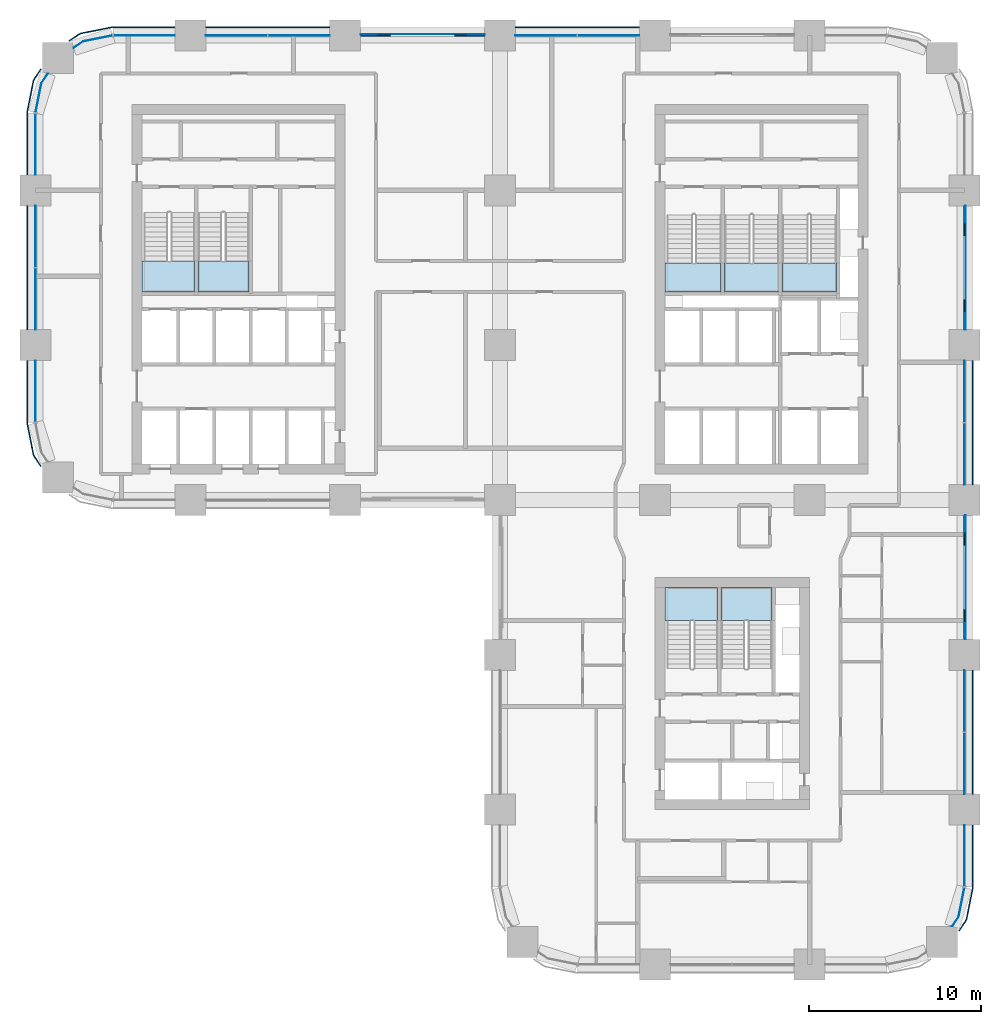
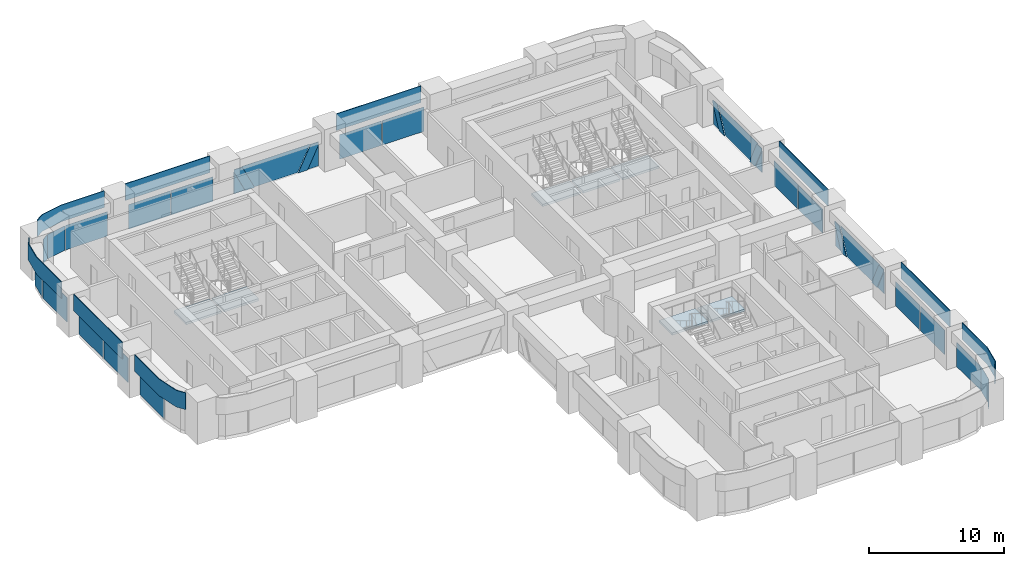
# One storey, part 11 of 20: 41 plates, 7 slabs, 19 elements without a shape of their own.
"""IFC4 building model written with IfcOpenShell, lengths in metres."""

import ifcopenshell
import ifcopenshell.guid

model = None  # the IFC model being written
_history = None  # IfcOwnerHistory: only IFC2X3 demands one
_inside = {}  # id of a spatial element -> (the spatial element, [elements in it])
_under = {}  # id of a project, library or spatial element -> (it, [spatial elements below it])
_declared = {}  # id of a project -> (the project, [libraries it declares])
_typed = {}  # id of a type object -> (the type object, [elements of that type])
_made_of = {}  # id of a material, layer set ... -> (it, [elements and type objects made of it])


def new_model(schema):
    """Start an empty IFC model of exactly this schema.

    Asked for "IFC4X3", IfcOpenShell would pick the latest addendum, in which some entities
    have other attributes; the version numbers below select the first issue.
    IFC2X3 requires an IfcOwnerHistory on every rooted entity: one is made here for all.
    """
    global model, _history
    if schema == "IFC4X3":
        model = ifcopenshell.file(schema_version=(4, 3, 0, 0))
    else:
        model = ifcopenshell.file(schema=schema)
    _inside.clear()
    _under.clear()
    _declared.clear()
    _typed.clear()
    _made_of.clear()
    _history = None
    if model.schema == "IFC2X3":
        org = make("IfcOrganization", Name="unknown")
        user = make(
            "IfcPersonAndOrganization",
            ThePerson=make("IfcPerson", FamilyName="unknown"),
            TheOrganization=org,
        )
        app = make(
            "IfcApplication",
            ApplicationDeveloper=org,
            Version="unknown",
            ApplicationFullName="unknown",
            ApplicationIdentifier="unknown",
        )
        _history = make(
            "IfcOwnerHistory",
            OwningUser=user,
            OwningApplication=app,
            ChangeAction="ADDED",
            CreationDate=0,
        )
    return model


def make(cls, **values):
    """One entity of the class cls with the attributes given. An attribute that is None is left unset."""
    return model.create_entity(
        cls, **{name: value for name, value in values.items() if value is not None}
    )


def rooted(cls, **values):
    """An entity with a GlobalId (a new one), such as an element, a storey or a relation."""
    return make(cls, GlobalId=ifcopenshell.guid.new(), OwnerHistory=_history, **values)


def si_unit(unit_type, name, prefix=None):
    """IfcSIUnit, for example si_unit("LENGTHUNIT", "METRE", prefix="MILLI")."""
    return make("IfcSIUnit", UnitType=unit_type, Prefix=prefix, Name=name)


def assignment(units):
    """IfcUnitAssignment: the units of a project."""
    return None if units is None else make("IfcUnitAssignment", Units=units)


def point(xyz):
    """IfcCartesianPoint."""
    return None if xyz is None else make("IfcCartesianPoint", Coordinates=xyz)


def direction(xyz):
    """IfcDirection."""
    return None if xyz is None else make("IfcDirection", DirectionRatios=xyz)


def frame(location, z_axis=None, x_axis=None):
    """IfcAxis2Placement3D, a coordinate frame: its origin and axes. An axis left out is left unset."""
    return make(
        "IfcAxis2Placement3D",
        Location=point(location),
        Axis=direction(z_axis),
        RefDirection=direction(x_axis),
    )


def frame_2d(location, x_axis=None):
    """IfcAxis2Placement2D, a coordinate frame in the plane: its origin and x axis."""
    return make(
        "IfcAxis2Placement2D", Location=point(location), RefDirection=direction(x_axis)
    )


def origin():
    """The frame at (0, 0, 0) with its axes left unset."""
    return frame((0.0, 0.0, 0.0))


def origin_2d():
    """The frame at (0, 0) in the plane with its x axis left unset."""
    return frame_2d((0.0, 0.0))


def place(relative_to, where):
    """IfcLocalPlacement: puts the frame where relative to a parent placement (None: the world)."""
    return make(
        "IfcLocalPlacement", PlacementRelTo=relative_to, RelativePlacement=where
    )


def context(
    kind, dimensions, precision=None, world=None, true_north=None, identifier=None
):
    """IfcGeometricRepresentationContext, for example the 3D "Model" context."""
    return make(
        "IfcGeometricRepresentationContext",
        ContextIdentifier=identifier,
        ContextType=kind,
        CoordinateSpaceDimension=dimensions,
        Precision=precision,
        WorldCoordinateSystem=world,
        TrueNorth=true_north,
    )


def subcontext(parent, identifier, kind, view, scale=None):
    """IfcGeometricRepresentationSubContext, for example "Body" below "Model"."""
    return make(
        "IfcGeometricRepresentationSubContext",
        ContextIdentifier=identifier,
        ContextType=kind,
        ParentContext=parent,
        TargetScale=scale,
        TargetView=view,
    )


def project(units=None, contexts=None):
    """IfcProject with its units and contexts."""
    return rooted(
        "IfcProject",
        Name="project",
        RepresentationContexts=contexts,
        UnitsInContext=assignment(units),
    )


def spatial(cls, under=None, at=None, **own):
    """A site, building, storey or space (cls), placed at a placement, below another one or the project."""
    s = rooted(cls, ObjectPlacement=at, **own)
    if under is not None:
        _under.setdefault(under.id(), (under, []))[1].append(s)
    return s


def polyline(points):
    """IfcPolyline through the points."""
    return make("IfcPolyline", Points=[point(p) for p in points])


def profile(cls, at=None, kind="AREA", **sizes):
    """A parametric profile (cls). Its sizes go by their IFC names, for example OverallWidth=200.0."""
    return make(cls, ProfileType=kind, Position=at, **sizes)


def rectangle(**sizes):
    """IfcRectangleProfileDef."""
    return profile("IfcRectangleProfileDef", **sizes)


def outline(outer, holes=None, kind="AREA"):
    """IfcArbitraryClosedProfileDef: a profile drawn as a closed curve; with holes, ...WithVoids."""
    if holes is None:
        return make("IfcArbitraryClosedProfileDef", ProfileType=kind, OuterCurve=outer)
    return make(
        "IfcArbitraryProfileDefWithVoids",
        ProfileType=kind,
        OuterCurve=outer,
        InnerCurves=holes,
    )


def extrude(swept, where, along, depth):
    """IfcExtrudedAreaSolid: the profile swept, set in the frame where, extruded along a direction by depth."""
    return make(
        "IfcExtrudedAreaSolid",
        SweptArea=swept,
        Position=where,
        ExtrudedDirection=direction(along),
        Depth=depth,
    )


def shape(context_of_items, identifier, shape_type, items):
    """IfcShapeRepresentation: the items that make up one representation, for example the "Body"."""
    return make(
        "IfcShapeRepresentation",
        ContextOfItems=context_of_items,
        RepresentationIdentifier=identifier,
        RepresentationType=shape_type,
        Items=items,
    )


def material(Name=None, Category=None):
    """IfcMaterial."""
    return make("IfcMaterial", Name=Name, Category=Category)


def layer(
    of_material, thickness, ventilated=None, Name=None, Category=None, Priority=None
):
    """IfcMaterialLayer: one layer of a wall or slab, of a material (None: an air gap)."""
    return make(
        "IfcMaterialLayer",
        Material=of_material,
        LayerThickness=thickness,
        IsVentilated=ventilated,
        Name=Name,
        Category=Category,
        Priority=Priority,
    )


def layer_set(layers, Name=None):
    """IfcMaterialLayerSet."""
    return make("IfcMaterialLayerSet", MaterialLayers=layers, LayerSetName=Name)


def made_of(thing, what):
    """Note that an element or type object is made of a material, layer set ...; save() writes the relation."""
    if what is not None:
        _made_of.setdefault(what.id(), (what, []))[1].append(thing)
    return thing


def type_object(cls, material=None, **own):
    """A type object (cls), such as IfcWallType, which elements share."""
    return made_of(rooted(cls, **own), material)


def element(
    cls,
    number,
    at=None,
    inside=None,
    cuts=None,
    type_object=None,
    material=None,
    context=None,
    identifier="Body",
    shape_type=None,
    held_by="IfcProductDefinitionShape",
    body=None,
    shapes=None,
    **own,
):
    """One element of the class cls, such as IfcWall. Its Tag is "e" and its number.

    at: its placement. inside: the storey or other place that contains it. cuts: it is an
    opening in that element (IfcRelVoidsElement). A single representation is given by context,
    identifier, shape_type and body (its items); several are given by shapes. held_by: the class
    of the entity that holds the representations. save() writes the other relations.
    """
    e = rooted(cls, Tag="e%d" % number, ObjectPlacement=at, **own)
    if body is not None:
        shapes = [shape(context, identifier, shape_type, body)]
    if shapes is not None:
        e.Representation = make(held_by, Representations=shapes)
    if inside is not None:
        _inside.setdefault(inside.id(), (inside, []))[1].append(e)
    if cuts is not None:
        rooted(
            "IfcRelVoidsElement", RelatingBuildingElement=cuts, RelatedOpeningElement=e
        )
    if type_object is not None:
        _typed.setdefault(type_object.id(), (type_object, []))[1].append(e)
    return made_of(e, material)


def aggregate(whole, parts):
    """IfcRelAggregates: a whole, such as a stair, and the parts it consists of."""
    return rooted("IfcRelAggregates", RelatingObject=whole, RelatedObjects=parts)


def save(model, path):
    """Write the relations noted so far, then the file.

    IfcRelAggregates (storeys below a building ...), IfcRelContainedInSpatialStructure (elements
    in a storey), IfcRelDefinesByType, IfcRelAssociatesMaterial and IfcRelDeclares: one each for
    every whole, place, type object, material and project.
    """
    for whole, parts in _under.values():
        aggregate(whole, parts)
    for where, things in _inside.values():
        rooted(
            "IfcRelContainedInSpatialStructure",
            RelatedElements=things,
            RelatingStructure=where,
        )
    for kind, things in _typed.values():
        rooted("IfcRelDefinesByType", RelatedObjects=things, RelatingType=kind)
    for what, things in _made_of.values():
        rooted("IfcRelAssociatesMaterial", RelatedObjects=things, RelatingMaterial=what)
    for by, libraries in _declared.values():
        rooted("IfcRelDeclares", RelatingContext=by, RelatedDefinitions=libraries)
    model.write(path)


model = new_model("IFC4")

# Units and contexts
model_context = context("Model", 3, precision=1e-05, world=origin(), true_north=direction((0.0, 1.0)))
body_context = subcontext(model_context, "Body", "Model", "MODEL_VIEW")
ifc_project = project(units=[si_unit("LENGTHUNIT", "METRE"), si_unit("AREAUNIT", "SQUARE_METRE"), si_unit("VOLUMEUNIT", "CUBIC_METRE"), si_unit("PLANEANGLEUNIT", "RADIAN"), si_unit("MASSUNIT", "GRAM", prefix="KILO")], contexts=[model_context])

# Site, building, storey
site_placement = place(None, origin())
site = spatial("IfcSite", under=ifc_project, at=site_placement, CompositionType="ELEMENT")
building_placement = place(site_placement, origin())
building = spatial("IfcBuilding", under=site, at=building_placement, Name="Tessera Arch", CompositionType="ELEMENT")
storey_placement = place(building_placement, frame((0.0, 0.0, 119.60009765625)))
storey = spatial("IfcBuildingStorey", under=building, at=storey_placement, Name="L28", CompositionType="ELEMENT", Elevation=119.60009765625)

# Curtain wall, plates
ifc_material_1 = material(Name="CW1 curtain wall")
curtain_wall_type_1 = type_object("IfcCurtainWallType", Name="CW1 curtain wall", PredefinedType="NOTDEFINED", material=ifc_material_1)
curtain_wall_1_placement = place(storey_placement, origin())
curtain_wall_1 = element("IfcCurtainWall", 1, at=curtain_wall_1_placement, inside=storey, type_object=curtain_wall_type_1, Name="CW1 curtain wall N54.0/1 L28", PredefinedType="NOTDEFINED")
ifc_material_2 = material(Name="Clear low-e glass", Category="glass")
ifc_material_3 = material(Name="Clear low-e glass", Category="glass")
ifc_layer_1 = layer(ifc_material_3, 0.028076171875)
ifc_layer_set_1 = layer_set([ifc_layer_1], Name="CW1 glass panel")
plate_type_1 = type_object("IfcPlateType", Name="CW1 glass panel", PredefinedType="CURTAIN_PANEL", material=ifc_layer_set_1)
plate_1_placement = place(storey_placement, frame((33.31494140625, 54.0, 0.0), z_axis=(0.0, 0.0, 1.0), x_axis=(-1.0, 0.0, 0.0)))
plate_1 = element("IfcPlate", 2, at=plate_1_placement, type_object=plate_type_1, material=ifc_material_2, Name="CW1 glass panel N54.0/1 1.1.1", PredefinedType="CURTAIN_PANEL", context=body_context, shape_type="SweptSolid", body=[
    extrude(rectangle(XDim=3.570068359375, YDim=0.028076171875, at=origin_2d()), origin(), (0.0, 0.0, 1.0), 2.199951171875),
])
plate_2_placement = place(storey_placement, frame((29.68505859375, 54.0, 0.0), z_axis=(0.0, 0.0, 1.0), x_axis=(-1.0, 0.0, 0.0)))
plate_2 = element("IfcPlate", 3, at=plate_2_placement, type_object=plate_type_1, material=ifc_material_2, Name="CW1 glass panel N54.0/1 1.2.1", PredefinedType="CURTAIN_PANEL", context=body_context, shape_type="SweptSolid", body=[
    extrude(rectangle(XDim=3.570068359375, YDim=0.028076171875, at=origin_2d()), origin(), (0.0, 0.0, 1.0), 2.199951171875),
])

curtain_wall_2_placement = place(storey_placement, origin())
curtain_wall_2 = element("IfcCurtainWall", 4, at=curtain_wall_2_placement, inside=storey, type_object=curtain_wall_type_1, Name="CW1 curtain wall N54.0/3 L28", PredefinedType="NOTDEFINED")
plate_3_placement = place(storey_placement, frame((15.31494140625, 54.0, 0.0), z_axis=(0.0, 0.0, 1.0), x_axis=(-1.0, 0.0, 0.0)))
plate_3 = element("IfcPlate", 5, at=plate_3_placement, type_object=plate_type_1, material=ifc_material_2, Name="CW1 glass panel N54.0/3 1.1.1", PredefinedType="CURTAIN_PANEL", context=body_context, shape_type="SweptSolid", body=[
    extrude(rectangle(XDim=3.570068359375, YDim=0.028076171875, at=origin_2d()), origin(), (0.0, 0.0, 1.0), 2.199951171875),
])
plate_4_placement = place(storey_placement, frame((11.68505859375, 54.0, 0.0), z_axis=(0.0, 0.0, 1.0), x_axis=(-1.0, 0.0, 0.0)))
plate_4 = element("IfcPlate", 6, at=plate_4_placement, type_object=plate_type_1, material=ifc_material_2, Name="CW1 glass panel N54.0/3 1.2.1", PredefinedType="CURTAIN_PANEL", context=body_context, shape_type="SweptSolid", body=[
    extrude(rectangle(XDim=3.570068359375, YDim=0.028076171875, at=origin_2d()), origin(), (0.0, 0.0, 1.0), 2.199951171875),
])

curtain_wall_3_placement = place(storey_placement, origin())
curtain_wall_3 = element("IfcCurtainWall", 7, at=curtain_wall_3_placement, inside=storey, type_object=curtain_wall_type_1, Name="CW1 curtain wall W0.27/1 L28", PredefinedType="NOTDEFINED")
plate_5_placement = place(storey_placement, frame((0.0, 42.31494140625, 0.0), z_axis=(0.0, 0.0, 1.0), x_axis=(0.0, -1.0, 0.0)))
plate_5 = element("IfcPlate", 8, at=plate_5_placement, type_object=plate_type_1, material=ifc_material_2, Name="CW1 glass panel W0.27/1 1.1.1", PredefinedType="CURTAIN_PANEL", context=body_context, shape_type="SweptSolid", body=[
    extrude(rectangle(XDim=3.570068359375, YDim=0.028076171875, at=origin_2d()), origin(), (0.0, 0.0, 1.0), 2.199951171875),
])
plate_6_placement = place(storey_placement, frame((0.0, 38.68505859375, 0.0), z_axis=(0.0, 0.0, 1.0), x_axis=(0.0, -1.0, 0.0)))
plate_6 = element("IfcPlate", 9, at=plate_6_placement, type_object=plate_type_1, material=ifc_material_2, Name="CW1 glass panel W0.27/1 1.2.1", PredefinedType="CURTAIN_PANEL", context=body_context, shape_type="SweptSolid", body=[
    extrude(rectangle(XDim=3.570068359375, YDim=0.028076171875, at=origin_2d()), origin(), (0.0, 0.0, 1.0), 2.199951171875),
])

curtain_wall_4_placement = place(storey_placement, origin())
curtain_wall_4 = element("IfcCurtainWall", 10, at=curtain_wall_4_placement, inside=storey, type_object=curtain_wall_type_1, Name="CW1 curtain wall E54.0/1 L28", PredefinedType="NOTDEFINED")
plate_7_placement = place(storey_placement, frame((54.0, 11.68505859375, 0.0), z_axis=(0.0, 0.0, 1.0), x_axis=(0.0, 1.0, 0.0)))
plate_7 = element("IfcPlate", 11, at=plate_7_placement, type_object=plate_type_1, material=ifc_material_2, Name="CW1 glass panel E54.0/1 1.1.1", PredefinedType="CURTAIN_PANEL", context=body_context, shape_type="SweptSolid", body=[
    extrude(rectangle(XDim=3.570068359375, YDim=0.028076171875, at=origin_2d()), origin(), (0.0, 0.0, 1.0), 2.199951171875),
])
plate_8_placement = place(storey_placement, frame((54.0, 15.31494140625, 0.0), z_axis=(0.0, 0.0, 1.0), x_axis=(0.0, 1.0, 0.0)))
plate_8 = element("IfcPlate", 12, at=plate_8_placement, type_object=plate_type_1, material=ifc_material_2, Name="CW1 glass panel E54.0/1 1.2.1", PredefinedType="CURTAIN_PANEL", context=body_context, shape_type="SweptSolid", body=[
    extrude(rectangle(XDim=3.570068359375, YDim=0.028076171875, at=origin_2d()), origin(), (0.0, 0.0, 1.0), 2.199951171875),
])

curtain_wall_5_placement = place(storey_placement, origin())
curtain_wall_5 = element("IfcCurtainWall", 13, at=curtain_wall_5_placement, inside=storey, type_object=curtain_wall_type_1, Name="CW1 curtain wall E54.0/3 L28", PredefinedType="NOTDEFINED")
plate_9_placement = place(storey_placement, frame((54.0, 29.68505859375, 0.0), z_axis=(0.0, 0.0, 1.0), x_axis=(0.0, 1.0, 0.0)))
plate_9 = element("IfcPlate", 14, at=plate_9_placement, type_object=plate_type_1, material=ifc_material_2, Name="CW1 glass panel E54.0/3 1.1.1", PredefinedType="CURTAIN_PANEL", context=body_context, shape_type="SweptSolid", body=[
    extrude(rectangle(XDim=3.570068359375, YDim=0.028076171875, at=origin_2d()), origin(), (0.0, 0.0, 1.0), 2.199951171875),
])
plate_10_placement = place(storey_placement, frame((54.0, 33.31494140625, 0.0), z_axis=(0.0, 0.0, 1.0), x_axis=(0.0, 1.0, 0.0)))
plate_10 = element("IfcPlate", 15, at=plate_10_placement, type_object=plate_type_1, material=ifc_material_2, Name="CW1 glass panel E54.0/3 1.2.1", PredefinedType="CURTAIN_PANEL", context=body_context, shape_type="SweptSolid", body=[
    extrude(rectangle(XDim=3.570068359375, YDim=0.028076171875, at=origin_2d()), origin(), (0.0, 0.0, 1.0), 2.199951171875),
])

# Plate
ifc_material_4 = material(Name="Pale anodised aluminium panel", Category="aluminium")
ifc_layer_2 = layer(ifc_material_4, 0.06005859375)
ifc_layer_set_2 = layer_set([ifc_layer_2], Name="CW1 spandrel panel")
plate_type_2 = type_object("IfcPlateType", Name="CW1 spandrel panel", PredefinedType="CURTAIN_PANEL", material=ifc_layer_set_2)
plate_11_placement = place(storey_placement, frame((31.5, 54.47998046875, 2.2998046875), z_axis=(0.0, 0.0, 1.0), x_axis=(-1.0, 0.0, 0.0)))
plate_11 = element("IfcPlate", 16, at=plate_11_placement, type_object=plate_type_2, Name="CW1 spandrel panel N54.0/1", PredefinedType="CURTAIN_PANEL", context=body_context, shape_type="SweptSolid", body=[
    extrude(rectangle(XDim=7.199951171875, YDim=0.06005859375, at=origin_2d()), origin(), (0.0, 0.0, 1.0), 1.5),
])

aggregate(curtain_wall_1, [plate_1, plate_2, plate_11])

plate_12_placement = place(storey_placement, frame((13.5, 54.47998046875, 2.2998046875), z_axis=(0.0, 0.0, 1.0), x_axis=(-1.0, 0.0, 0.0)))
plate_12 = element("IfcPlate", 17, at=plate_12_placement, type_object=plate_type_2, Name="CW1 spandrel panel N54.0/3", PredefinedType="CURTAIN_PANEL", context=body_context, shape_type="SweptSolid", body=[
    extrude(rectangle(XDim=7.199951171875, YDim=0.06005859375, at=origin_2d()), origin(), (0.0, 0.0, 1.0), 1.5),
])

aggregate(curtain_wall_2, [plate_3, plate_4, plate_12])

plate_13_placement = place(storey_placement, frame((-0.47998046875, 40.5, 2.2998046875), z_axis=(0.0, 0.0, 1.0), x_axis=(0.0, -1.0, 0.0)))
plate_13 = element("IfcPlate", 18, at=plate_13_placement, type_object=plate_type_2, Name="CW1 spandrel panel W0.27/1", PredefinedType="CURTAIN_PANEL", context=body_context, shape_type="SweptSolid", body=[
    extrude(rectangle(XDim=7.199951171875, YDim=0.06005859375, at=origin_2d()), origin(), (0.0, 0.0, 1.0), 1.5),
])

aggregate(curtain_wall_3, [plate_5, plate_6, plate_13])

plate_14_placement = place(storey_placement, frame((54.47998046875, 13.5, 2.2998046875), z_axis=(0.0, 0.0, 1.0), x_axis=(0.0, 1.0, 0.0)))
plate_14 = element("IfcPlate", 19, at=plate_14_placement, type_object=plate_type_2, Name="CW1 spandrel panel E54.0/1", PredefinedType="CURTAIN_PANEL", context=body_context, shape_type="SweptSolid", body=[
    extrude(rectangle(XDim=7.199951171875, YDim=0.06005859375, at=origin_2d()), origin(), (0.0, 0.0, 1.0), 1.5),
])

aggregate(curtain_wall_4, [plate_7, plate_8, plate_14])

plate_15_placement = place(storey_placement, frame((54.47998046875, 31.5, 2.2998046875), z_axis=(0.0, 0.0, 1.0), x_axis=(0.0, 1.0, 0.0)))
plate_15 = element("IfcPlate", 20, at=plate_15_placement, type_object=plate_type_2, Name="CW1 spandrel panel E54.0/3", PredefinedType="CURTAIN_PANEL", context=body_context, shape_type="SweptSolid", body=[
    extrude(rectangle(XDim=7.199951171875, YDim=0.06005859375, at=origin_2d()), origin(), (0.0, 0.0, 1.0), 1.5),
])

aggregate(curtain_wall_5, [plate_9, plate_10, plate_15])

# Curtain wall, plates
ifc_material_5 = material(Name="CW2 curtain wall")
curtain_wall_type_2 = type_object("IfcCurtainWallType", Name="CW2 curtain wall", PredefinedType="NOTDEFINED", material=ifc_material_5)
curtain_wall_6_placement = place(storey_placement, origin())
curtain_wall_6 = element("IfcCurtainWall", 21, at=curtain_wall_6_placement, inside=storey, type_object=curtain_wall_type_2, Name="CW2 curtain wall N54.0/4 L28", PredefinedType="NOTDEFINED")
ifc_material_6 = material(Name="Clear low-e glass", Category="glass")
ifc_layer_3 = layer(ifc_material_6, 0.028076171875)
ifc_layer_set_3 = layer_set([ifc_layer_3], Name="CW2 glass panel")
plate_type_3 = type_object("IfcPlateType", Name="CW2 glass panel", PredefinedType="CURTAIN_PANEL", material=ifc_layer_set_3)
plate_16_placement = place(storey_placement, frame((6.320068359375, 54.0, 0.0), z_axis=(0.0, 0.0, 1.0), x_axis=(-1.0, 0.0, 0.0)))
plate_16 = element("IfcPlate", 22, at=plate_16_placement, type_object=plate_type_3, material=ifc_material_2, Name="CW2 glass panel N54.0/4 1.1", PredefinedType="CURTAIN_PANEL", context=body_context, shape_type="SweptSolid", body=[
    extrude(rectangle(XDim=3.56005859375, YDim=0.028076171875, at=origin_2d()), origin(), (0.0, 0.0, 1.0), 2.199951171875),
])
plate_17_placement = place(storey_placement, origin())
plate_17 = element("IfcPlate", 23, at=plate_17_placement, type_object=plate_type_3, material=ifc_material_2, Name="CW2 curved glass panel N54.0/4 2.1", PredefinedType="CURTAIN_PANEL", context=body_context, shape_type="SweptSolid", body=[
    extrude(outline(polyline([(2.783447265625, 53.644287109375), (4.46337890625, 53.978515625), (4.4580078125, 54.005859375), (2.7724609375, 53.670654296875), (2.210205078125, 53.294921875), (2.225830078125, 53.271728515625), (2.783447265625, 53.644287109375)])), origin(), (0.0, 0.0, 1.0), 2.199951171875),
])

curtain_wall_7_placement = place(storey_placement, origin())
curtain_wall_7 = element("IfcCurtainWall", 24, at=curtain_wall_7_placement, inside=storey, type_object=curtain_wall_type_2, Name="CW2 curtain wall W0.27/0 L28", PredefinedType="NOTDEFINED")
plate_18_placement = place(storey_placement, frame((0.0, 47.679931640625, 0.0), z_axis=(0.0, 0.0, 1.0), x_axis=(0.0, -1.0, 0.0)))
plate_18 = element("IfcPlate", 25, at=plate_18_placement, type_object=plate_type_3, material=ifc_material_2, Name="CW2 glass panel W0.27/0 1.1", PredefinedType="CURTAIN_PANEL", context=body_context, shape_type="SweptSolid", body=[
    extrude(rectangle(XDim=3.56005859375, YDim=0.028076171875, at=origin_2d()), origin(), (0.0, 0.0, 1.0), 2.199951171875),
])
plate_19_placement = place(storey_placement, origin())
plate_19 = element("IfcPlate", 26, at=plate_19_placement, type_object=plate_type_3, material=ifc_material_2, Name="CW2 curved glass panel W0.27/0 2.1", PredefinedType="CURTAIN_PANEL", context=body_context, shape_type="SweptSolid", body=[
    extrude(outline(polyline([(0.355712890625, 51.216552734375), (0.728271484375, 51.774169921875), (0.705078125, 51.789794921875), (0.329345703125, 51.2275390625), (-0.005859375, 49.5419921875), (0.021484375, 49.53662109375), (0.355712890625, 51.216552734375)])), origin(), (0.0, 0.0, 1.0), 2.199951171875),
])

# Curtain wall, plate
curtain_wall_8_placement = place(storey_placement, origin())
curtain_wall_8 = element("IfcCurtainWall", 27, at=curtain_wall_8_placement, inside=storey, type_object=curtain_wall_type_2, Name="CW2 curtain wall W0.27/2 L28", PredefinedType="NOTDEFINED")
plate_20_placement = place(storey_placement, frame((0.0, 33.320068359375, 0.0), z_axis=(0.0, 0.0, 1.0), x_axis=(0.0, -1.0, 0.0)))
plate_20 = element("IfcPlate", 28, at=plate_20_placement, type_object=plate_type_3, material=ifc_material_2, Name="CW2 glass panel W0.27/2 1.1", PredefinedType="CURTAIN_PANEL", context=body_context, shape_type="SweptSolid", body=[
    extrude(rectangle(XDim=3.56005859375, YDim=0.028076171875, at=origin_2d()), origin(), (0.0, 0.0, 1.0), 2.199951171875),
])

# Curtain wall, plates
curtain_wall_9_placement = place(storey_placement, origin())
curtain_wall_9 = element("IfcCurtainWall", 29, at=curtain_wall_9_placement, inside=storey, type_object=curtain_wall_type_2, Name="CW2 curtain wall E54.0/0 L28", PredefinedType="NOTDEFINED")
plate_21_placement = place(storey_placement, frame((54.0, 6.320068359375, 0.0), z_axis=(0.0, 0.0, 1.0), x_axis=(0.0, 1.0, 0.0)))
plate_21 = element("IfcPlate", 30, at=plate_21_placement, type_object=plate_type_3, material=ifc_material_2, Name="CW2 glass panel E54.0/0 1.1", PredefinedType="CURTAIN_PANEL", context=body_context, shape_type="SweptSolid", body=[
    extrude(rectangle(XDim=3.56005859375, YDim=0.028076171875, at=origin_2d()), origin(), (0.0, 0.0, 1.0), 2.199951171875),
])
plate_22_placement = place(storey_placement, origin())
plate_22 = element("IfcPlate", 31, at=plate_22_placement, type_object=plate_type_3, material=ifc_material_2, Name="CW2 curved glass panel E54.0/0 2.1", PredefinedType="CURTAIN_PANEL", context=body_context, shape_type="SweptSolid", body=[
    extrude(outline(polyline([(53.644287109375, 2.783447265625), (53.271728515625, 2.225830078125), (53.294921875, 2.210205078125), (53.670654296875, 2.7724609375), (54.005859375, 4.4580078125), (53.978515625, 4.46337890625), (53.644287109375, 2.783447265625)])), origin(), (0.0, 0.0, 1.0), 2.199951171875),
])

# Plate
ifc_material_7 = material(Name="Pale anodised aluminium panel", Category="aluminium")
ifc_layer_4 = layer(ifc_material_7, 0.06005859375)
ifc_layer_set_4 = layer_set([ifc_layer_4], Name="CW2 spandrel panel")
plate_type_4 = type_object("IfcPlateType", Name="CW2 spandrel panel", PredefinedType="CURTAIN_PANEL", material=ifc_layer_set_4)
plate_23_placement = place(storey_placement, frame((0.0, 0.0, 2.2998046875)))
plate_23 = element("IfcPlate", 32, at=plate_23_placement, type_object=plate_type_4, Name="CW2 spandrel panel N54.0/4", PredefinedType="CURTAIN_PANEL", context=body_context, shape_type="SweptSolid", body=[
    extrude(outline(polyline([(4.500732421875, 54.449951171875), (8.10009765625, 54.449951171875), (8.10009765625, 54.510009765625), (4.499267578125, 54.510009765625), (4.449951171875, 54.507568359375), (4.401123046875, 54.500244140625), (2.677734375, 54.157470703125), (2.6298828125, 54.1455078125), (2.582763671875, 54.128662109375), (2.537353515625, 54.107177734375), (2.4951171875, 54.08203125), (1.9345703125, 53.707275390625), (1.968017578125, 53.657470703125), (2.52734375, 54.03125), (2.565673828125, 54.05419921875), (2.605712890625, 54.0732421875), (2.647216796875, 54.088134765625), (2.69091796875, 54.09912109375), (4.411376953125, 54.441162109375), (4.455810546875, 54.44775390625), (4.500732421875, 54.449951171875)])), origin(), (0.0, 0.0, 1.0), 1.5),
])

aggregate(curtain_wall_6, [plate_16, plate_17, plate_23])

plate_24_placement = place(storey_placement, frame((0.0, 0.0, 2.2998046875)))
plate_24 = element("IfcPlate", 33, at=plate_24_placement, type_object=plate_type_4, Name="CW2 spandrel panel W0.27/0", PredefinedType="CURTAIN_PANEL", context=body_context, shape_type="SweptSolid", body=[
    extrude(outline(polyline([(-0.03125, 51.47265625), (0.342529296875, 52.031982421875), (0.292724609375, 52.0654296875), (-0.08203125, 51.5048828125), (-0.107177734375, 51.462646484375), (-0.128662109375, 51.417236328125), (-0.1455078125, 51.3701171875), (-0.157470703125, 51.322265625), (-0.500244140625, 49.598876953125), (-0.507568359375, 49.550048828125), (-0.510009765625, 49.500732421875), (-0.510009765625, 45.89990234375), (-0.449951171875, 45.89990234375), (-0.449951171875, 49.499267578125), (-0.44775390625, 49.544189453125), (-0.441162109375, 49.588623046875), (-0.09912109375, 51.30908203125), (-0.088134765625, 51.352783203125), (-0.0732421875, 51.394287109375), (-0.05419921875, 51.434326171875), (-0.03125, 51.47265625)])), origin(), (0.0, 0.0, 1.0), 1.5),
])

aggregate(curtain_wall_7, [plate_18, plate_19, plate_24])

plate_25_placement = place(storey_placement, frame((0.0, 0.0, 2.2998046875)))
plate_25 = element("IfcPlate", 34, at=plate_25_placement, type_object=plate_type_4, Name="CW2 spandrel panel W0.27/2", PredefinedType="CURTAIN_PANEL", context=body_context, shape_type="SweptSolid", body=[
    extrude(outline(polyline([(-0.449951171875, 31.500732421875), (-0.449951171875, 35.10009765625), (-0.510009765625, 35.10009765625), (-0.510009765625, 31.499267578125), (-0.507568359375, 31.449951171875), (-0.500244140625, 31.401123046875), (-0.157470703125, 29.677734375), (-0.1455078125, 29.6298828125), (-0.128662109375, 29.582763671875), (-0.107177734375, 29.537353515625), (-0.08203125, 29.4951171875), (0.292724609375, 28.9345703125), (0.342529296875, 28.968017578125), (-0.03125, 29.52734375), (-0.05419921875, 29.565673828125), (-0.0732421875, 29.605712890625), (-0.088134765625, 29.647216796875), (-0.09912109375, 29.69091796875), (-0.441162109375, 31.411376953125), (-0.44775390625, 31.455810546875), (-0.449951171875, 31.500732421875)])), origin(), (0.0, 0.0, 1.0), 1.5),
])

aggregate(curtain_wall_8, [plate_20, plate_25])

plate_26_placement = place(storey_placement, frame((0.0, 0.0, 2.2998046875)))
plate_26 = element("IfcPlate", 35, at=plate_26_placement, type_object=plate_type_4, Name="CW2 spandrel panel E54.0/0", PredefinedType="CURTAIN_PANEL", context=body_context, shape_type="SweptSolid", body=[
    extrude(outline(polyline([(54.03125, 2.52734375), (53.657470703125, 1.968017578125), (53.707275390625, 1.9345703125), (54.08203125, 2.4951171875), (54.107177734375, 2.537353515625), (54.128662109375, 2.582763671875), (54.1455078125, 2.6298828125), (54.157470703125, 2.677734375), (54.500244140625, 4.401123046875), (54.507568359375, 4.449951171875), (54.510009765625, 4.499267578125), (54.510009765625, 8.10009765625), (54.449951171875, 8.10009765625), (54.449951171875, 4.500732421875), (54.44775390625, 4.455810546875), (54.441162109375, 4.411376953125), (54.09912109375, 2.69091796875), (54.088134765625, 2.647216796875), (54.0732421875, 2.605712890625), (54.05419921875, 2.565673828125), (54.03125, 2.52734375)])), origin(), (0.0, 0.0, 1.0), 1.5),
])

aggregate(curtain_wall_9, [plate_21, plate_22, plate_26])

# Curtain wall, plates
ifc_material_8 = material(Name="CW3 curtain wall")
curtain_wall_type_3 = type_object("IfcCurtainWallType", Name="CW3 curtain wall", PredefinedType="NOTDEFINED", material=ifc_material_8)
curtain_wall_10_placement = place(storey_placement, origin())
curtain_wall_10 = element("IfcCurtainWall", 36, at=curtain_wall_10_placement, inside=storey, type_object=curtain_wall_type_3, Name="CW3 curtain wall N54.0/2 L28", PredefinedType="NOTDEFINED")
ifc_material_9 = material(Name="Pale anodised aluminium panel", Category="aluminium")
ifc_layer_5 = layer(ifc_material_9, 0.06005859375)
ifc_layer_set_5 = layer_set([ifc_layer_5], Name="CW3 diagonal panel")
plate_type_5 = type_object("IfcPlateType", Name="CW3 diagonal panel", PredefinedType="CURTAIN_PANEL", material=ifc_layer_set_5)
plate_27_placement = place(storey_placement, frame((18.89990234375, 54.030029296875, 2.199951171875), z_axis=(0.0, 1.0, 0.0), x_axis=(1.0, 0.0, 0.0)))
plate_27 = element("IfcPlate", 37, at=plate_27_placement, type_object=plate_type_5, Name="CW3 diagonal panel N54.0/2 1", PredefinedType="CURTAIN_PANEL", context=body_context, shape_type="SweptSolid", body=[
    extrude(outline(polyline([(0.0, 0.0), (0.688232421875, 0.0), (1.744140625, 2.199951171875), (0.944091796875, 2.199951171875), (0.0, 0.233642578125), (0.0, 0.0)])), origin(), (0.0, 0.0, -1.0), 0.06005859375),
])
plate_28_placement = place(storey_placement, frame((26.10009765625, 54.030029296875, 2.199951171875), z_axis=(0.0, 1.0, 0.0), x_axis=(0.0, 0.0, -1.0)))
plate_28 = element("IfcPlate", 38, at=plate_28_placement, type_object=plate_type_5, Name="CW3 diagonal panel N54.0/2 2", PredefinedType="CURTAIN_PANEL", context=body_context, shape_type="SweptSolid", body=[
    extrude(outline(polyline([(0.0, 0.0), (0.233642578125, 0.0), (2.199951171875, 0.944091796875), (2.199951171875, 1.744140625), (0.0, 0.688232421875), (0.0, 0.0)])), origin(), (0.0, 0.0, -1.0), 0.06005859375),
])

curtain_wall_11_placement = place(storey_placement, origin())
curtain_wall_11 = element("IfcCurtainWall", 39, at=curtain_wall_11_placement, inside=storey, type_object=curtain_wall_type_3, Name="CW3 curtain wall E54.0/2 L28", PredefinedType="NOTDEFINED")
plate_29_placement = place(storey_placement, frame((54.030029296875, 26.10009765625, 2.199951171875), z_axis=(1.0, 0.0, 0.0), x_axis=(0.0, -1.0, 0.0)))
plate_29 = element("IfcPlate", 40, at=plate_29_placement, type_object=plate_type_5, Name="CW3 diagonal panel E54.0/2 1", PredefinedType="CURTAIN_PANEL", context=body_context, shape_type="SweptSolid", body=[
    extrude(outline(polyline([(0.0, 0.0), (0.688232421875, 0.0), (1.744140625, 2.199951171875), (0.944091796875, 2.199951171875), (0.0, 0.233642578125), (0.0, 0.0)])), origin(), (0.0, 0.0, -1.0), 0.06005859375),
])
plate_30_placement = place(storey_placement, frame((54.030029296875, 18.89990234375, 2.199951171875), z_axis=(1.0, 0.0, 0.0), x_axis=(0.0, 0.0, -1.0)))
plate_30 = element("IfcPlate", 41, at=plate_30_placement, type_object=plate_type_5, Name="CW3 diagonal panel E54.0/2 2", PredefinedType="CURTAIN_PANEL", context=body_context, shape_type="SweptSolid", body=[
    extrude(outline(polyline([(0.0, 0.0), (0.233642578125, 0.0), (2.199951171875, 0.944091796875), (2.199951171875, 1.744140625), (0.0, 0.688232421875), (0.0, 0.0)])), origin(), (0.0, 0.0, -1.0), 0.06005859375),
])

curtain_wall_12_placement = place(storey_placement, origin())
curtain_wall_12 = element("IfcCurtainWall", 42, at=curtain_wall_12_placement, inside=storey, type_object=curtain_wall_type_3, Name="CW3 curtain wall E54.0/4 L28", PredefinedType="NOTDEFINED")
plate_31_placement = place(storey_placement, frame((54.030029296875, 44.10009765625, 2.199951171875), z_axis=(1.0, 0.0, 0.0), x_axis=(0.0, -1.0, 0.0)))
plate_31 = element("IfcPlate", 43, at=plate_31_placement, type_object=plate_type_5, Name="CW3 diagonal panel E54.0/4 1", PredefinedType="CURTAIN_PANEL", context=body_context, shape_type="SweptSolid", body=[
    extrude(outline(polyline([(0.0, 0.0), (0.688232421875, 0.0), (1.744140625, 2.199951171875), (0.944091796875, 2.199951171875), (0.0, 0.233642578125), (0.0, 0.0)])), origin(), (0.0, 0.0, -1.0), 0.06005859375),
])
plate_32_placement = place(storey_placement, frame((54.030029296875, 36.89990234375, 2.199951171875), z_axis=(1.0, 0.0, 0.0), x_axis=(0.0, 0.0, -1.0)))
plate_32 = element("IfcPlate", 44, at=plate_32_placement, type_object=plate_type_5, Name="CW3 diagonal panel E54.0/4 2", PredefinedType="CURTAIN_PANEL", context=body_context, shape_type="SweptSolid", body=[
    extrude(outline(polyline([(0.0, 0.0), (0.233642578125, 0.0), (2.199951171875, 0.944091796875), (2.199951171875, 1.744140625), (0.0, 0.688232421875), (0.0, 0.0)])), origin(), (0.0, 0.0, -1.0), 0.06005859375),
])

# Plate
ifc_material_10 = material(Name="Clear low-e glass", Category="glass")
ifc_layer_6 = layer(ifc_material_10, 0.028076171875)
ifc_layer_set_6 = layer_set([ifc_layer_6], Name="CW3 glass panel")
plate_type_6 = type_object("IfcPlateType", Name="CW3 glass panel", PredefinedType="CURTAIN_PANEL", material=ifc_layer_set_6)
plate_33_placement = place(storey_placement, frame((26.10009765625, 54.05810546875, 0.0), z_axis=(0.0, 1.0, 0.0), x_axis=(-1.0, 0.0, 0.0)))
plate_33 = element("IfcPlate", 45, at=plate_33_placement, type_object=plate_type_6, material=ifc_material_2, Name="CW3 triangulated glass panel N54.0/2 1", PredefinedType="CURTAIN_PANEL", context=body_context, shape_type="SweptSolid", body=[
    extrude(outline(polyline([(0.0, 0.0), (0.944091796875, 0.0), (0.0, 1.96630859375), (0.0, 0.0)])), origin(), (0.0, 0.0, -1.0), 0.028076171875),
])

plate_34_placement = place(storey_placement, frame((19.588134765625, 54.0859375, 2.199951171875), z_axis=(0.0, 1.0, 0.0), x_axis=(1.0, 0.0, 0.0)))
plate_34 = element("IfcPlate", 46, at=plate_34_placement, type_object=plate_type_6, material=ifc_material_2, Name="CW3 triangulated glass panel N54.0/2 2", PredefinedType="CURTAIN_PANEL", context=body_context, shape_type="SweptSolid", body=[
    extrude(outline(polyline([(0.0, 0.0), (5.82373046875, 0.0), (4.767822265625, 2.199951171875), (1.055908203125, 2.199951171875), (0.0, 0.0)])), origin(), (0.0, 0.0, -1.0), 0.028076171875),
])

plate_35_placement = place(storey_placement, frame((18.89990234375, 54.05810546875, 0.0), z_axis=(0.0, 1.0, 0.0), x_axis=(0.0, 0.0, 1.0)))
plate_35 = element("IfcPlate", 47, at=plate_35_placement, type_object=plate_type_6, material=ifc_material_2, Name="CW3 triangulated glass panel N54.0/2 3", PredefinedType="CURTAIN_PANEL", context=body_context, shape_type="SweptSolid", body=[
    extrude(outline(polyline([(0.0, 0.0), (1.96630859375, 0.0), (0.0, 0.944091796875), (0.0, 0.0)])), origin(), (0.0, 0.0, -1.0), 0.028076171875),
])

aggregate(curtain_wall_10, [plate_33, plate_34, plate_35, plate_27, plate_28])

plate_36_placement = place(storey_placement, frame((54.05810546875, 18.89990234375, 0.0), z_axis=(1.0, 0.0, 0.0), x_axis=(0.0, 1.0, 0.0)))
plate_36 = element("IfcPlate", 48, at=plate_36_placement, type_object=plate_type_6, material=ifc_material_2, Name="CW3 triangulated glass panel E54.0/2 1", PredefinedType="CURTAIN_PANEL", context=body_context, shape_type="SweptSolid", body=[
    extrude(outline(polyline([(0.0, 0.0), (0.944091796875, 0.0), (0.0, 1.96630859375), (0.0, 0.0)])), origin(), (0.0, 0.0, -1.0), 0.028076171875),
])

plate_37_placement = place(storey_placement, frame((54.0859375, 25.411865234375, 2.199951171875), z_axis=(1.0, 0.0, 0.0), x_axis=(0.0, -1.0, 0.0)))
plate_37 = element("IfcPlate", 49, at=plate_37_placement, type_object=plate_type_6, material=ifc_material_2, Name="CW3 triangulated glass panel E54.0/2 2", PredefinedType="CURTAIN_PANEL", context=body_context, shape_type="SweptSolid", body=[
    extrude(outline(polyline([(0.0, 0.0), (5.82373046875, 0.0), (4.767822265625, 2.199951171875), (1.055908203125, 2.199951171875), (0.0, 0.0)])), origin(), (0.0, 0.0, -1.0), 0.028076171875),
])

plate_38_placement = place(storey_placement, frame((54.05810546875, 26.10009765625, 0.0), z_axis=(1.0, 0.0, 0.0), x_axis=(0.0, 0.0, 1.0)))
plate_38 = element("IfcPlate", 50, at=plate_38_placement, type_object=plate_type_6, material=ifc_material_2, Name="CW3 triangulated glass panel E54.0/2 3", PredefinedType="CURTAIN_PANEL", context=body_context, shape_type="SweptSolid", body=[
    extrude(outline(polyline([(0.0, 0.0), (1.96630859375, 0.0), (0.0, 0.944091796875), (0.0, 0.0)])), origin(), (0.0, 0.0, -1.0), 0.028076171875),
])

aggregate(curtain_wall_11, [plate_36, plate_37, plate_38, plate_29, plate_30])

plate_39_placement = place(storey_placement, frame((54.05810546875, 36.89990234375, 0.0), z_axis=(1.0, 0.0, 0.0), x_axis=(0.0, 1.0, 0.0)))
plate_39 = element("IfcPlate", 51, at=plate_39_placement, type_object=plate_type_6, material=ifc_material_2, Name="CW3 triangulated glass panel E54.0/4 1", PredefinedType="CURTAIN_PANEL", context=body_context, shape_type="SweptSolid", body=[
    extrude(outline(polyline([(0.0, 0.0), (0.944091796875, 0.0), (0.0, 1.96630859375), (0.0, 0.0)])), origin(), (0.0, 0.0, -1.0), 0.028076171875),
])

plate_40_placement = place(storey_placement, frame((54.0859375, 43.411865234375, 2.199951171875), z_axis=(1.0, 0.0, 0.0), x_axis=(0.0, -1.0, 0.0)))
plate_40 = element("IfcPlate", 52, at=plate_40_placement, type_object=plate_type_6, material=ifc_material_2, Name="CW3 triangulated glass panel E54.0/4 2", PredefinedType="CURTAIN_PANEL", context=body_context, shape_type="SweptSolid", body=[
    extrude(outline(polyline([(0.0, 0.0), (5.82373046875, 0.0), (4.767822265625, 2.199951171875), (1.055908203125, 2.199951171875), (0.0, 0.0)])), origin(), (0.0, 0.0, -1.0), 0.028076171875),
])

plate_41_placement = place(storey_placement, frame((54.05810546875, 44.10009765625, 0.0), z_axis=(1.0, 0.0, 0.0), x_axis=(0.0, 0.0, 1.0)))
plate_41 = element("IfcPlate", 53, at=plate_41_placement, type_object=plate_type_6, material=ifc_material_2, Name="CW3 triangulated glass panel E54.0/4 3", PredefinedType="CURTAIN_PANEL", context=body_context, shape_type="SweptSolid", body=[
    extrude(outline(polyline([(0.0, 0.0), (1.96630859375, 0.0), (0.0, 0.944091796875), (0.0, 0.0)])), origin(), (0.0, 0.0, -1.0), 0.028076171875),
])

aggregate(curtain_wall_12, [plate_39, plate_40, plate_41, plate_31, plate_32])

# Stair, slab
ifc_material_11 = material(Name="Concrete C40/50", Category="concrete")
stair_type_1 = type_object("IfcStairType", Name="Dogleg stair 1520", PredefinedType="HALF_TURN_STAIR", material=ifc_material_11)
stair_1_placement = place(storey_placement, origin())
stair_1 = element("IfcStair", 54, at=stair_1_placement, inside=storey, type_object=stair_type_1, Name="L28 S1a", PredefinedType="HALF_TURN_STAIR")
ifc_material_12 = material(Name="Concrete C40/50", Category="concrete")
ifc_layer_7 = layer(ifc_material_12, 0.300048828125)
ifc_layer_set_7 = layer_set([ifc_layer_7], Name="Stair landing 300")
slab_type = type_object("IfcSlabType", Name="Stair landing 300", PredefinedType="LANDING", material=ifc_layer_set_7)
slab_1_placement = place(storey_placement, frame((0.0, 0.0, 1.699951171875)))
slab_1 = element("IfcSlab", 55, at=slab_1_placement, type_object=slab_type, Name="S1a landing 1", PredefinedType="LANDING", context=body_context, shape_type="SweptSolid", body=[
    extrude(outline(polyline([(36.60009765625, 40.780029296875), (36.60009765625, 39.10009765625), (39.85009765625, 39.10009765625), (39.85009765625, 40.780029296875), (36.60009765625, 40.780029296875)])), origin(), (0.0, 0.0, 1.0), 0.199951171875),
])
aggregate(stair_1, [slab_1])

stair_2_placement = place(storey_placement, origin())
stair_2 = element("IfcStair", 56, at=stair_2_placement, inside=storey, type_object=stair_type_1, Name="L28 S1b", PredefinedType="HALF_TURN_STAIR")
slab_2_placement = place(storey_placement, frame((0.0, 0.0, 1.699951171875)))
slab_2 = element("IfcSlab", 57, at=slab_2_placement, type_object=slab_type, Name="S1b landing 1", PredefinedType="LANDING", context=body_context, shape_type="SweptSolid", body=[
    extrude(outline(polyline([(40.050048828125, 40.780029296875), (40.050048828125, 39.10009765625), (43.199951171875, 39.10009765625), (43.199951171875, 40.780029296875), (40.050048828125, 40.780029296875)])), origin(), (0.0, 0.0, 1.0), 0.199951171875),
])
aggregate(stair_2, [slab_2])

stair_3_placement = place(storey_placement, origin())
stair_3 = element("IfcStair", 58, at=stair_3_placement, inside=storey, type_object=stair_type_1, Name="L28 S1c", PredefinedType="HALF_TURN_STAIR")
slab_3_placement = place(storey_placement, frame((0.0, 0.0, 1.699951171875)))
slab_3 = element("IfcSlab", 59, at=slab_3_placement, type_object=slab_type, Name="S1c landing 1", PredefinedType="LANDING", context=body_context, shape_type="SweptSolid", body=[
    extrude(outline(polyline([(43.39990234375, 40.780029296875), (43.39990234375, 39.10009765625), (46.550048828125, 39.10009765625), (46.550048828125, 40.780029296875), (43.39990234375, 40.780029296875)])), origin(), (0.0, 0.0, 1.0), 0.199951171875),
])
aggregate(stair_3, [slab_3])

ifc_material_13 = material(Name="Concrete C40/50", Category="concrete")
stair_type_2 = type_object("IfcStairType", Name="Dogleg stair 1400", PredefinedType="HALF_TURN_STAIR", material=ifc_material_13)
stair_4_placement = place(storey_placement, origin())
stair_4 = element("IfcStair", 60, at=stair_4_placement, inside=storey, type_object=stair_type_2, Name="L28 S2a", PredefinedType="HALF_TURN_STAIR")
slab_4_placement = place(storey_placement, frame((0.0, 0.0, 1.699951171875)))
slab_4 = element("IfcSlab", 61, at=slab_4_placement, type_object=slab_type, Name="S2a landing 1", PredefinedType="LANDING", context=body_context, shape_type="SweptSolid", body=[
    extrude(outline(polyline([(6.199951171875, 40.89990234375), (6.199951171875, 39.10009765625), (9.25, 39.10009765625), (9.25, 40.89990234375), (6.199951171875, 40.89990234375)])), origin(), (0.0, 0.0, 1.0), 0.199951171875),
])
aggregate(stair_4, [slab_4])

stair_5_placement = place(storey_placement, origin())
stair_5 = element("IfcStair", 62, at=stair_5_placement, inside=storey, type_object=stair_type_2, Name="L28 S2b", PredefinedType="HALF_TURN_STAIR")
slab_5_placement = place(storey_placement, frame((0.0, 0.0, 1.699951171875)))
slab_5 = element("IfcSlab", 63, at=slab_5_placement, type_object=slab_type, Name="S2b landing 1", PredefinedType="LANDING", context=body_context, shape_type="SweptSolid", body=[
    extrude(outline(polyline([(9.449951171875, 40.89990234375), (9.449951171875, 39.10009765625), (12.39990234375, 39.10009765625), (12.39990234375, 40.89990234375), (9.449951171875, 40.89990234375)])), origin(), (0.0, 0.0, 1.0), 0.199951171875),
])
aggregate(stair_5, [slab_5])

stair_6_placement = place(storey_placement, origin())
stair_6 = element("IfcStair", 64, at=stair_6_placement, inside=storey, type_object=stair_type_2, Name="L28 S3a", PredefinedType="HALF_TURN_STAIR")
slab_6_placement = place(storey_placement, frame((0.0, 0.0, 1.699951171875)))
slab_6 = element("IfcSlab", 65, at=slab_6_placement, type_object=slab_type, Name="S3a landing 1", PredefinedType="LANDING", context=body_context, shape_type="SweptSolid", body=[
    extrude(outline(polyline([(39.64990234375, 20.0), (39.64990234375, 21.89990234375), (36.60009765625, 21.89990234375), (36.60009765625, 20.0), (39.64990234375, 20.0)])), origin(), (0.0, 0.0, 1.0), 0.199951171875),
])
aggregate(stair_6, [slab_6])

stair_7_placement = place(storey_placement, origin())
stair_7 = element("IfcStair", 66, at=stair_7_placement, inside=storey, type_object=stair_type_2, Name="L28 S3b", PredefinedType="HALF_TURN_STAIR")
slab_7_placement = place(storey_placement, frame((0.0, 0.0, 1.699951171875)))
slab_7 = element("IfcSlab", 67, at=slab_7_placement, type_object=slab_type, Name="S3b landing 1", PredefinedType="LANDING", context=body_context, shape_type="SweptSolid", body=[
    extrude(outline(polyline([(42.800048828125, 20.0), (42.800048828125, 21.89990234375), (39.85009765625, 21.89990234375), (39.85009765625, 20.0), (42.800048828125, 20.0)])), origin(), (0.0, 0.0, 1.0), 0.199951171875),
])
aggregate(stair_7, [slab_7])

save(model, "model.ifc")
